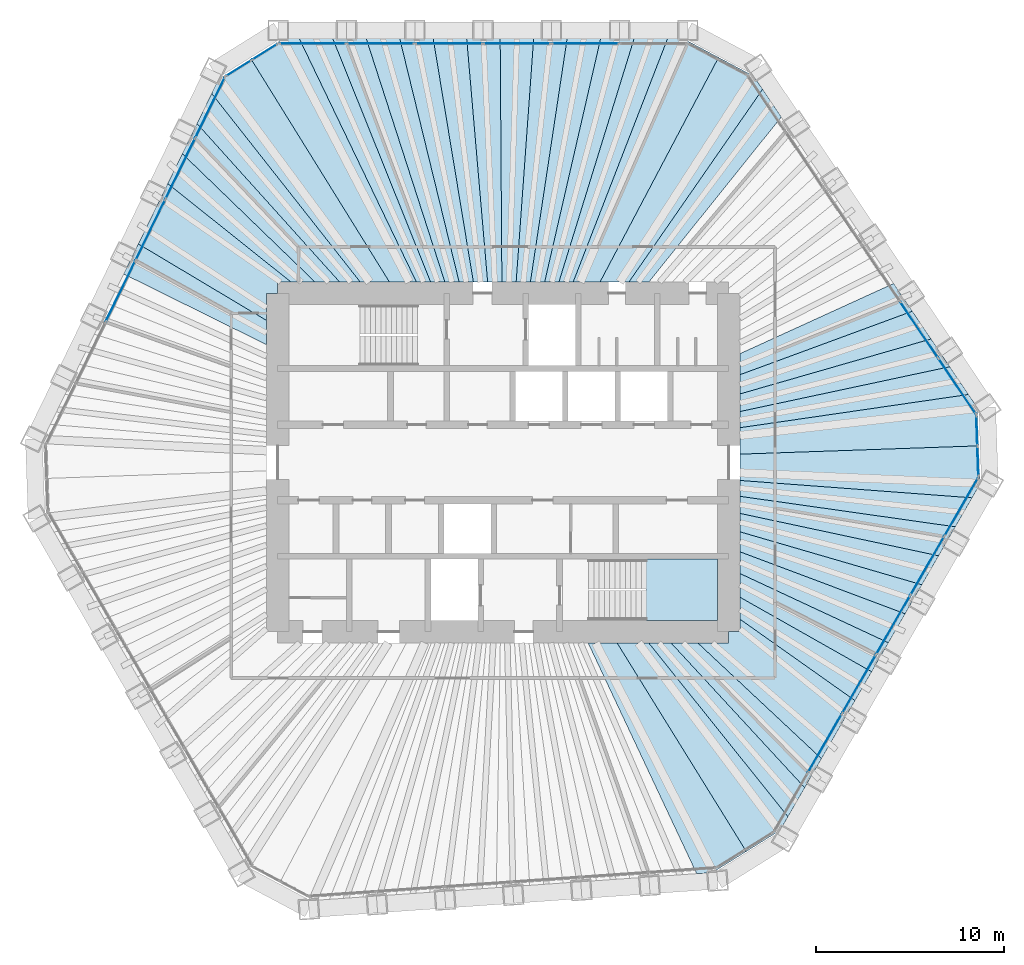
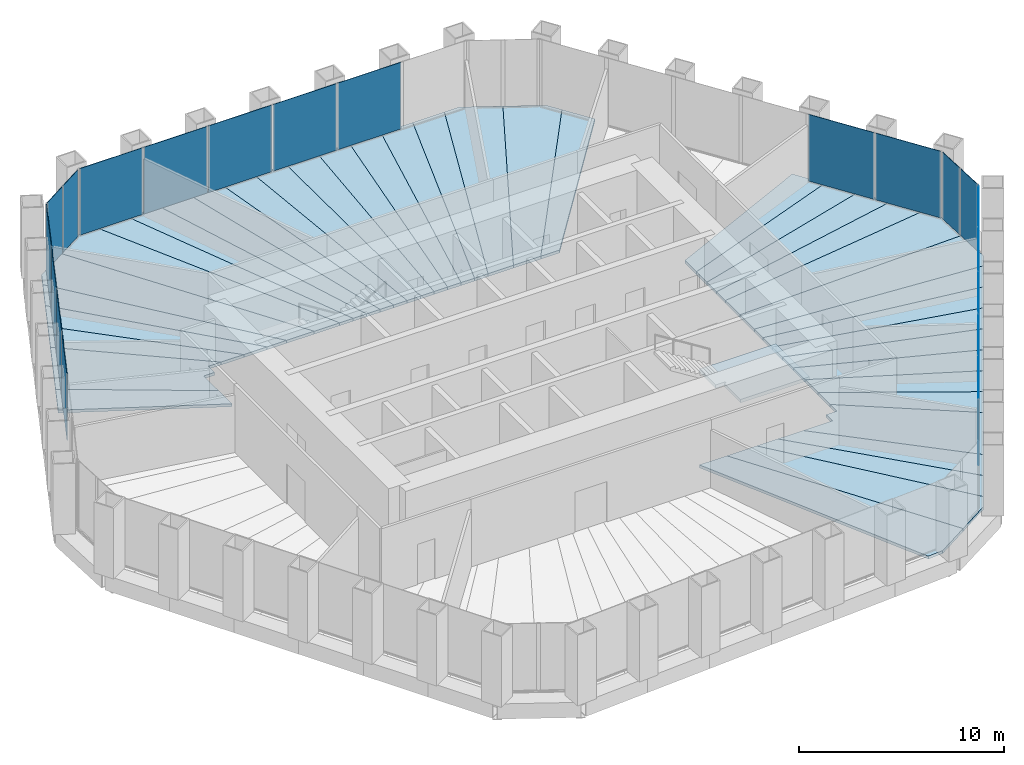
# One storey, part 9 of 13: 40 slabs, 20 plates, 7 elements without a shape of their own.
"""IFC4 building model written with IfcOpenShell, lengths in metres."""

from ifc_helpers import new_model, si_unit, direction, frame, origin, origin_2d, place, context, subcontext, project, spatial, polyline, rectangle, outline, extrude, material, layer, layer_set, type_object, element, aggregate, save


model = new_model("IFC4")

# Units and contexts
model_context = context("Model", 3, precision=1e-05, world=origin(), true_north=direction((0.0, 1.0)))
body_context = subcontext(model_context, "Body", "Model", "MODEL_VIEW")
ifc_project = project(units=[si_unit("LENGTHUNIT", "METRE"), si_unit("AREAUNIT", "SQUARE_METRE"), si_unit("VOLUMEUNIT", "CUBIC_METRE"), si_unit("PLANEANGLEUNIT", "RADIAN"), si_unit("MASSUNIT", "GRAM", prefix="KILO")], contexts=[model_context])

# Site, building, storey
site_placement = place(None, origin())
site = spatial("IfcSite", under=ifc_project, at=site_placement, CompositionType="ELEMENT")
building_placement = place(site_placement, origin())
building = spatial("IfcBuilding", under=site, at=building_placement, Name="Qingtian Harvest Tower", CompositionType="ELEMENT")
storey_placement = place(building_placement, frame((0.0, 0.0, 188.800048828125)))
storey = spatial("IfcBuildingStorey", under=building, at=storey_placement, Name="L40", CompositionType="ELEMENT", Elevation=188.800048828125)

# Slabs
ifc_material_1 = material(Name="Concrete fc' 35 MPa", Category="concrete")
ifc_layer_1 = layer(ifc_material_1, 0.169921875)
ifc_layer_set_1 = layer_set([ifc_layer_1], Name="Composite floor slab FS17 170")
slab_type_1 = type_object("IfcSlabType", Name="Composite floor slab FS17 170", PredefinedType="FLOOR", material=ifc_layer_set_1)
slab_1_placement = place(storey_placement, frame((0.0, 0.0, -0.170166015625)))
element("IfcSlab", 1, at=slab_1_placement, inside=storey, type_object=slab_type_1, Name="Floor slab L40 panel D26", PredefinedType="FLOOR", context=body_context, shape_type="SweptSolid", body=[
    extrude(outline(polyline([(4.5185546875, -9.60009765625), (6.059326171875, -9.60009765625), (12.94140625, -20.70703125), (11.142578125, -21.830810546875), (10.30029296875, -21.889892578125), (4.5185546875, -9.60009765625)])), origin(), (0.0, 0.0, 1.0), 0.170166015625),
])
slab_2_placement = place(storey_placement, frame((0.0, 0.0, -0.170166015625)))
element("IfcSlab", 2, at=slab_2_placement, inside=storey, type_object=slab_type_1, Name="Floor slab L40 panel D27", PredefinedType="FLOOR", context=body_context, shape_type="SweptSolid", body=[
    extrude(outline(polyline([(6.059326171875, -9.60009765625), (7.740966796875, -9.60009765625), (15.159423828125, -18.853271484375), (14.73681640625, -19.5849609375), (12.94140625, -20.70703125), (6.059326171875, -9.60009765625)])), origin(), (0.0, 0.0, 1.0), 0.170166015625),
])
slab_3_placement = place(storey_placement, frame((0.0, 0.0, -0.170166015625)))
element("IfcSlab", 3, at=slab_3_placement, inside=storey, type_object=slab_type_1, Name="Floor slab L40 panel D28", PredefinedType="FLOOR", context=body_context, shape_type="SweptSolid", body=[
    extrude(outline(polyline([(8.929443359375, -9.60009765625), (16.05029296875, -17.31005859375), (15.159423828125, -18.853271484375), (7.740966796875, -9.60009765625), (8.929443359375, -9.60009765625)])), origin(), (0.0, 0.0, 1.0), 0.170166015625),
])
slab_4_placement = place(storey_placement, frame((0.0, 0.0, -0.170166015625)))
element("IfcSlab", 4, at=slab_4_placement, inside=storey, type_object=slab_type_1, Name="Floor slab L40 panel D29", PredefinedType="FLOOR", context=body_context, shape_type="SweptSolid", body=[
    extrude(outline(polyline([(10.35205078125, -9.60009765625), (16.94140625, -15.766845703125), (16.05029296875, -17.31005859375), (8.929443359375, -9.60009765625), (10.35205078125, -9.60009765625)])), origin(), (0.0, 0.0, 1.0), 0.170166015625),
])
slab_5_placement = place(storey_placement, frame((0.0, 0.0, -0.170166015625)))
element("IfcSlab", 5, at=slab_5_placement, inside=storey, type_object=slab_type_1, Name="Floor slab L40 panel D31", PredefinedType="FLOOR", context=body_context, shape_type="SweptSolid", body=[
    extrude(outline(polyline([(12.60009765625, -8.33984375), (18.726806640625, -12.674072265625), (16.94140625, -15.766845703125), (10.35205078125, -9.60009765625), (12.0, -9.60009765625), (12.0, -9.0), (12.60009765625, -9.0), (12.60009765625, -8.33984375)])), origin(), (0.0, 0.0, 1.0), 0.170166015625),
])
slab_6_placement = place(storey_placement, frame((0.0, 0.0, -0.170166015625)))
element("IfcSlab", 6, at=slab_6_placement, inside=storey, type_object=slab_type_1, Name="Floor slab L40 panel D32", PredefinedType="FLOOR", context=body_context, shape_type="SweptSolid", body=[
    extrude(outline(polyline([(12.60009765625, -7.171142578125), (19.61279296875, -11.1396484375), (18.726806640625, -12.674072265625), (12.60009765625, -8.33984375), (12.60009765625, -7.171142578125)])), origin(), (0.0, 0.0, 1.0), 0.170166015625),
])
slab_7_placement = place(storey_placement, frame((0.0, 0.0, -0.170166015625)))
element("IfcSlab", 7, at=slab_7_placement, inside=storey, type_object=slab_type_1, Name="Floor slab L40 panel D33", PredefinedType="FLOOR", context=body_context, shape_type="SweptSolid", body=[
    extrude(outline(polyline([(12.60009765625, -5.91015625), (20.503662109375, -9.5966796875), (19.61279296875, -11.1396484375), (12.60009765625, -7.171142578125), (12.60009765625, -5.91015625)])), origin(), (0.0, 0.0, 1.0), 0.170166015625),
])
slab_8_placement = place(storey_placement, frame((0.0, 0.0, -0.170166015625)))
element("IfcSlab", 8, at=slab_8_placement, inside=storey, type_object=slab_type_1, Name="Floor slab L40 panel D34", PredefinedType="FLOOR", context=body_context, shape_type="SweptSolid", body=[
    extrude(outline(polyline([(12.60009765625, -4.75439453125), (21.39453125, -8.0537109375), (20.503662109375, -9.5966796875), (12.60009765625, -5.91015625), (12.60009765625, -4.75439453125)])), origin(), (0.0, 0.0, 1.0), 0.170166015625),
])
slab_9_placement = place(storey_placement, frame((0.0, 0.0, -0.170166015625)))
element("IfcSlab", 9, at=slab_9_placement, inside=storey, type_object=slab_type_1, Name="Floor slab L40 panel D35", PredefinedType="FLOOR", context=body_context, shape_type="SweptSolid", body=[
    extrude(outline(polyline([(12.60009765625, -3.691162109375), (22.285400390625, -6.5107421875), (21.39453125, -8.0537109375), (12.60009765625, -4.75439453125), (12.60009765625, -3.691162109375)])), origin(), (0.0, 0.0, 1.0), 0.170166015625),
])
slab_10_placement = place(storey_placement, frame((0.0, 0.0, -0.170166015625)))
element("IfcSlab", 10, at=slab_10_placement, inside=storey, type_object=slab_type_1, Name="Floor slab L40 panel D36", PredefinedType="FLOOR", context=body_context, shape_type="SweptSolid", body=[
    extrude(outline(polyline([(12.60009765625, -2.709716796875), (23.17626953125, -4.9677734375), (22.285400390625, -6.5107421875), (12.60009765625, -3.691162109375), (12.60009765625, -2.709716796875)])), origin(), (0.0, 0.0, 1.0), 0.170166015625),
])
slab_11_placement = place(storey_placement, frame((0.0, 0.0, -0.170166015625)))
element("IfcSlab", 11, at=slab_11_placement, inside=storey, type_object=slab_type_1, Name="Floor slab L40 panel D37", PredefinedType="FLOOR", context=body_context, shape_type="SweptSolid", body=[
    extrude(outline(polyline([(12.60009765625, -1.801025390625), (24.06689453125, -3.4248046875), (23.17626953125, -4.9677734375), (12.60009765625, -2.709716796875), (12.60009765625, -1.801025390625)])), origin(), (0.0, 0.0, 1.0), 0.170166015625),
])
slab_12_placement = place(storey_placement, frame((0.0, 0.0, -0.170166015625)))
element("IfcSlab", 12, at=slab_12_placement, inside=storey, type_object=slab_type_1, Name="Floor slab L40 panel D38", PredefinedType="FLOOR", context=body_context, shape_type="SweptSolid", body=[
    extrude(outline(polyline([(12.60009765625, -0.95703125), (24.957763671875, -1.8818359375), (24.06689453125, -3.4248046875), (12.60009765625, -1.801025390625), (12.60009765625, -0.95703125)])), origin(), (0.0, 0.0, 1.0), 0.170166015625),
])
slab_13_placement = place(storey_placement, frame((0.0, 0.0, -0.170166015625)))
element("IfcSlab", 13, at=slab_13_placement, inside=storey, type_object=slab_type_1, Name="Floor slab L40 panel D39", PredefinedType="FLOOR", context=body_context, shape_type="SweptSolid", body=[
    extrude(outline(polyline([(12.60009765625, -0.95703125), (12.60009765625, 0.442626953125), (25.30908203125, 0.884033203125), (25.380126953125, -1.150146484375), (24.957763671875, -1.8818359375), (12.60009765625, -0.95703125)])), origin(), (0.0, 0.0, 1.0), 0.170166015625),
])
slab_14_placement = place(storey_placement, frame((0.0, 0.0, -0.170166015625)))
element("IfcSlab", 14, at=slab_14_placement, inside=storey, type_object=slab_type_1, Name="Floor slab L40 panel D40", PredefinedType="FLOOR", context=body_context, shape_type="SweptSolid", body=[
    extrude(outline(polyline([(12.60009765625, 0.442626953125), (12.60009765625, 1.848876953125), (24.765625, 3.6181640625), (25.238037109375, 2.91796875), (25.30908203125, 0.884033203125), (12.60009765625, 0.442626953125)])), origin(), (0.0, 0.0, 1.0), 0.170166015625),
])
slab_15_placement = place(storey_placement, frame((0.0, 0.0, -0.170166015625)))
element("IfcSlab", 15, at=slab_15_placement, inside=storey, type_object=slab_type_1, Name="Floor slab L40 panel D41", PredefinedType="FLOOR", context=body_context, shape_type="SweptSolid", body=[
    extrude(outline(polyline([(12.60009765625, 2.710205078125), (23.76953125, 5.09521484375), (24.765625, 3.6181640625), (12.60009765625, 1.848876953125), (12.60009765625, 2.710205078125)])), origin(), (0.0, 0.0, 1.0), 0.170166015625),
])
slab_16_placement = place(storey_placement, frame((0.0, 0.0, -0.170166015625)))
element("IfcSlab", 16, at=slab_16_placement, inside=storey, type_object=slab_type_1, Name="Floor slab L40 panel D42", PredefinedType="FLOOR", context=body_context, shape_type="SweptSolid", body=[
    extrude(outline(polyline([(12.60009765625, 3.646728515625), (22.773193359375, 6.572265625), (23.76953125, 5.09521484375), (12.60009765625, 2.710205078125), (12.60009765625, 3.646728515625)])), origin(), (0.0, 0.0, 1.0), 0.170166015625),
])
slab_17_placement = place(storey_placement, frame((0.0, 0.0, -0.170166015625)))
element("IfcSlab", 17, at=slab_17_placement, inside=storey, type_object=slab_type_1, Name="Floor slab L40 panel D43", PredefinedType="FLOOR", context=body_context, shape_type="SweptSolid", body=[
    extrude(outline(polyline([(12.60009765625, 4.669189453125), (21.77685546875, 8.049560546875), (22.773193359375, 6.572265625), (12.60009765625, 3.646728515625), (12.60009765625, 4.669189453125)])), origin(), (0.0, 0.0, 1.0), 0.170166015625),
])
slab_18_placement = place(storey_placement, frame((0.0, 0.0, -0.170166015625)))
element("IfcSlab", 18, at=slab_18_placement, inside=storey, type_object=slab_type_1, Name="Floor slab L40 panel D44", PredefinedType="FLOOR", context=body_context, shape_type="SweptSolid", body=[
    extrude(outline(polyline([(12.60009765625, 5.7900390625), (20.780517578125, 9.526611328125), (21.77685546875, 8.049560546875), (12.60009765625, 4.669189453125), (12.60009765625, 5.7900390625)])), origin(), (0.0, 0.0, 1.0), 0.170166015625),
])
slab_19_placement = place(storey_placement, frame((0.0, 0.0, -0.170166015625)))
element("IfcSlab", 19, at=slab_19_placement, inside=storey, type_object=slab_type_1, Name="Floor slab L40 panel D51", PredefinedType="FLOOR", context=body_context, shape_type="SweptSolid", body=[
    extrude(outline(polyline([(6.6904296875, 9.60009765625), (13.807373046875, 19.86474609375), (14.8037109375, 18.3876953125), (7.751220703125, 9.60009765625), (6.6904296875, 9.60009765625)])), origin(), (0.0, 0.0, 1.0), 0.170166015625),
])
slab_20_placement = place(storey_placement, frame((0.0, 0.0, -0.170166015625)))
element("IfcSlab", 20, at=slab_20_placement, inside=storey, type_object=slab_type_1, Name="Floor slab L40 panel D52", PredefinedType="FLOOR", context=body_context, shape_type="SweptSolid", body=[
    extrude(outline(polyline([(6.6904296875, 9.60009765625), (5.15185546875, 9.60009765625), (11.465087890625, 21.559326171875), (13.334716796875, 20.5654296875), (13.807373046875, 19.86474609375), (6.6904296875, 9.60009765625)])), origin(), (0.0, 0.0, 1.0), 0.170166015625),
])
slab_21_placement = place(storey_placement, frame((0.0, 0.0, -0.170166015625)))
element("IfcSlab", 21, at=slab_21_placement, inside=storey, type_object=slab_type_1, Name="Floor slab L40 panel D53", PredefinedType="FLOOR", context=body_context, shape_type="SweptSolid", body=[
    extrude(outline(polyline([(3.7236328125, 9.60009765625), (8.748291015625, 22.554931640625), (9.5927734375, 22.554931640625), (11.465087890625, 21.559326171875), (5.15185546875, 9.60009765625), (3.7236328125, 9.60009765625)])), origin(), (0.0, 0.0, 1.0), 0.170166015625),
])
slab_22_placement = place(storey_placement, frame((0.0, 0.0, -0.170166015625)))
element("IfcSlab", 22, at=slab_22_placement, inside=storey, type_object=slab_type_1, Name="Floor slab L40 panel D54", PredefinedType="FLOOR", context=body_context, shape_type="SweptSolid", body=[
    extrude(outline(polyline([(2.96533203125, 9.60009765625), (6.966796875, 22.554931640625), (8.748291015625, 22.554931640625), (3.7236328125, 9.60009765625), (2.96533203125, 9.60009765625)])), origin(), (0.0, 0.0, 1.0), 0.170166015625),
])
slab_23_placement = place(storey_placement, frame((0.0, 0.0, -0.170166015625)))
element("IfcSlab", 23, at=slab_23_placement, inside=storey, type_object=slab_type_1, Name="Floor slab L40 panel D55", PredefinedType="FLOOR", context=body_context, shape_type="SweptSolid", body=[
    extrude(outline(polyline([(2.206787109375, 9.60009765625), (5.18505859375, 22.554931640625), (6.966796875, 22.554931640625), (2.96533203125, 9.60009765625), (2.206787109375, 9.60009765625)])), origin(), (0.0, 0.0, 1.0), 0.170166015625),
])
slab_24_placement = place(storey_placement, frame((0.0, 0.0, -0.170166015625)))
element("IfcSlab", 24, at=slab_24_placement, inside=storey, type_object=slab_type_1, Name="Floor slab L40 panel D56", PredefinedType="FLOOR", context=body_context, shape_type="SweptSolid", body=[
    extrude(outline(polyline([(1.448486328125, 9.60009765625), (3.403564453125, 22.554931640625), (5.18505859375, 22.554931640625), (2.206787109375, 9.60009765625), (1.448486328125, 9.60009765625)])), origin(), (0.0, 0.0, 1.0), 0.170166015625),
])
slab_25_placement = place(storey_placement, frame((0.0, 0.0, -0.170166015625)))
element("IfcSlab", 25, at=slab_25_placement, inside=storey, type_object=slab_type_1, Name="Floor slab L40 panel D57", PredefinedType="FLOOR", context=body_context, shape_type="SweptSolid", body=[
    extrude(outline(polyline([(0.690185546875, 9.60009765625), (1.621826171875, 22.554931640625), (3.403564453125, 22.554931640625), (1.448486328125, 9.60009765625), (0.690185546875, 9.60009765625)])), origin(), (0.0, 0.0, 1.0), 0.170166015625),
])
slab_26_placement = place(storey_placement, frame((0.0, 0.0, -0.170166015625)))
element("IfcSlab", 26, at=slab_26_placement, inside=storey, type_object=slab_type_1, Name="Floor slab L40 panel D58", PredefinedType="FLOOR", context=body_context, shape_type="SweptSolid", body=[
    extrude(outline(polyline([(-0.068115234375, 9.60009765625), (-0.159912109375, 22.554931640625), (1.621826171875, 22.554931640625), (0.690185546875, 9.60009765625), (-0.068115234375, 9.60009765625)])), origin(), (0.0, 0.0, 1.0), 0.170166015625),
])
slab_27_placement = place(storey_placement, frame((0.0, 0.0, -0.170166015625)))
element("IfcSlab", 27, at=slab_27_placement, inside=storey, type_object=slab_type_1, Name="Floor slab L40 panel D59", PredefinedType="FLOOR", context=body_context, shape_type="SweptSolid", body=[
    extrude(outline(polyline([(-0.826416015625, 9.60009765625), (-1.94140625, 22.554931640625), (-0.159912109375, 22.554931640625), (-0.068115234375, 9.60009765625), (-0.826416015625, 9.60009765625)])), origin(), (0.0, 0.0, 1.0), 0.170166015625),
])
slab_28_placement = place(storey_placement, frame((0.0, 0.0, -0.170166015625)))
element("IfcSlab", 28, at=slab_28_placement, inside=storey, type_object=slab_type_1, Name="Floor slab L40 panel D60", PredefinedType="FLOOR", context=body_context, shape_type="SweptSolid", body=[
    extrude(outline(polyline([(-1.584716796875, 9.60009765625), (-3.72314453125, 22.554931640625), (-1.94140625, 22.554931640625), (-0.826416015625, 9.60009765625), (-1.584716796875, 9.60009765625)])), origin(), (0.0, 0.0, 1.0), 0.170166015625),
])
slab_29_placement = place(storey_placement, frame((0.0, 0.0, -0.170166015625)))
element("IfcSlab", 29, at=slab_29_placement, inside=storey, type_object=slab_type_1, Name="Floor slab L40 panel D61", PredefinedType="FLOOR", context=body_context, shape_type="SweptSolid", body=[
    extrude(outline(polyline([(-2.343017578125, 9.60009765625), (-5.504638671875, 22.554931640625), (-3.72314453125, 22.554931640625), (-1.584716796875, 9.60009765625), (-2.343017578125, 9.60009765625)])), origin(), (0.0, 0.0, 1.0), 0.170166015625),
])
slab_30_placement = place(storey_placement, frame((0.0, 0.0, -0.170166015625)))
element("IfcSlab", 30, at=slab_30_placement, inside=storey, type_object=slab_type_1, Name="Floor slab L40 panel D62", PredefinedType="FLOOR", context=body_context, shape_type="SweptSolid", body=[
    extrude(outline(polyline([(-3.101318359375, 9.60009765625), (-7.286376953125, 22.554931640625), (-5.504638671875, 22.554931640625), (-2.343017578125, 9.60009765625), (-3.101318359375, 9.60009765625)])), origin(), (0.0, 0.0, 1.0), 0.170166015625),
])
slab_31_placement = place(storey_placement, frame((0.0, 0.0, -0.170166015625)))
element("IfcSlab", 31, at=slab_31_placement, inside=storey, type_object=slab_type_1, Name="Floor slab L40 panel D63", PredefinedType="FLOOR", context=body_context, shape_type="SweptSolid", body=[
    extrude(outline(polyline([(-3.859619140625, 9.60009765625), (-9.06787109375, 22.554931640625), (-7.286376953125, 22.554931640625), (-3.101318359375, 9.60009765625), (-3.859619140625, 9.60009765625)])), origin(), (0.0, 0.0, 1.0), 0.170166015625),
])
slab_32_placement = place(storey_placement, frame((0.0, 0.0, -0.170166015625)))
element("IfcSlab", 32, at=slab_32_placement, inside=storey, type_object=slab_type_1, Name="Floor slab L40 panel D64", PredefinedType="FLOOR", context=body_context, shape_type="SweptSolid", body=[
    extrude(outline(polyline([(-4.617919921875, 9.60009765625), (-10.849609375, 22.554931640625), (-9.06787109375, 22.554931640625), (-3.859619140625, 9.60009765625), (-4.617919921875, 9.60009765625)])), origin(), (0.0, 0.0, 1.0), 0.170166015625),
])
slab_33_placement = place(storey_placement, frame((0.0, 0.0, -0.170166015625)))
element("IfcSlab", 33, at=slab_33_placement, inside=storey, type_object=slab_type_1, Name="Floor slab L40 panel D65", PredefinedType="FLOOR", context=body_context, shape_type="SweptSolid", body=[
    extrude(outline(polyline([(-4.617919921875, 9.60009765625), (-6.050537109375, 9.60009765625), (-13.42138671875, 21.4755859375), (-11.69384765625, 22.554931640625), (-10.849609375, 22.554931640625), (-4.617919921875, 9.60009765625)])), origin(), (0.0, 0.0, 1.0), 0.170166015625),
])
slab_34_placement = place(storey_placement, frame((0.0, 0.0, -0.170166015625)))
element("IfcSlab", 34, at=slab_34_placement, inside=storey, type_object=slab_type_1, Name="Floor slab L40 panel D66", PredefinedType="FLOOR", context=body_context, shape_type="SweptSolid", body=[
    extrude(outline(polyline([(-6.050537109375, 9.60009765625), (-7.60498046875, 9.60009765625), (-15.516357421875, 19.638427734375), (-15.14599609375, 20.39794921875), (-13.42138671875, 21.4755859375), (-6.050537109375, 9.60009765625)])), origin(), (0.0, 0.0, 1.0), 0.170166015625),
])
slab_35_placement = place(storey_placement, frame((0.0, 0.0, -0.170166015625)))
element("IfcSlab", 35, at=slab_35_placement, inside=storey, type_object=slab_type_1, Name="Floor slab L40 panel D67", PredefinedType="FLOOR", context=body_context, shape_type="SweptSolid", body=[
    extrude(outline(polyline([(-8.699951171875, 9.60009765625), (-16.297607421875, 18.036865234375), (-15.516357421875, 19.638427734375), (-7.60498046875, 9.60009765625), (-8.699951171875, 9.60009765625)])), origin(), (0.0, 0.0, 1.0), 0.170166015625),
])
slab_36_placement = place(storey_placement, frame((0.0, 0.0, -0.170166015625)))
element("IfcSlab", 36, at=slab_36_placement, inside=storey, type_object=slab_type_1, Name="Floor slab L40 panel D68", PredefinedType="FLOOR", context=body_context, shape_type="SweptSolid", body=[
    extrude(outline(polyline([(-10.009765625, 9.60009765625), (-17.07861328125, 16.435302734375), (-16.297607421875, 18.036865234375), (-8.699951171875, 9.60009765625), (-10.009765625, 9.60009765625)])), origin(), (0.0, 0.0, 1.0), 0.170166015625),
])
slab_37_placement = place(storey_placement, frame((0.0, 0.0, -0.170166015625)))
element("IfcSlab", 37, at=slab_37_placement, inside=storey, type_object=slab_type_1, Name="Floor slab L40 panel D69", PredefinedType="FLOOR", context=body_context, shape_type="SweptSolid", body=[
    extrude(outline(polyline([(-11.28759765625, 9.60009765625), (-17.855224609375, 14.84326171875), (-17.07861328125, 16.435302734375), (-10.009765625, 9.60009765625), (-11.28759765625, 9.60009765625)])), origin(), (0.0, 0.0, 1.0), 0.170166015625),
])
slab_38_placement = place(storey_placement, frame((0.0, 0.0, -0.170166015625)))
element("IfcSlab", 38, at=slab_38_placement, inside=storey, type_object=slab_type_1, Name="Floor slab L40 panel D70", PredefinedType="FLOOR", context=body_context, shape_type="SweptSolid", body=[
    extrude(outline(polyline([(-12.0, 9.0), (-12.60009765625, 9.0), (-12.60009765625, 7.560302734375), (-19.4208984375, 11.633056640625), (-17.855224609375, 14.84326171875), (-11.28759765625, 9.60009765625), (-12.0, 9.60009765625), (-12.0, 9.0)])), origin(), (0.0, 0.0, 1.0), 0.170166015625),
])
slab_39_placement = place(storey_placement, frame((0.0, 0.0, -0.170166015625)))
element("IfcSlab", 39, at=slab_39_placement, inside=storey, type_object=slab_type_1, Name="Floor slab L40 panel D72", PredefinedType="FLOOR", context=body_context, shape_type="SweptSolid", body=[
    extrude(outline(polyline([(-12.60009765625, 6.268310546875), (-20.201904296875, 10.031494140625), (-19.4208984375, 11.633056640625), (-12.60009765625, 7.560302734375), (-12.60009765625, 6.268310546875)])), origin(), (0.0, 0.0, 1.0), 0.170166015625),
])

# Curtain wall, plates
ifc_material_2 = material(Name="Bronze-anodised aluminium curtain wall", Category="aluminium")
curtain_wall_type = type_object("IfcCurtainWallType", Name="Curtain wall CW4 office", PredefinedType="USERDEFINED", material=ifc_material_2)
curtain_wall_1_placement = place(storey_placement, origin())
curtain_wall_1 = element("IfcCurtainWall", 40, at=curtain_wall_1_placement, inside=storey, type_object=curtain_wall_type, Name="Curtain wall CW4 L40 N0-5", ObjectType="RECESSED CURTAIN WALL", PredefinedType="USERDEFINED")
ifc_material_3 = material(Name="Bronze-tinted laminated insulating glass", Category="glass")
ifc_layer_2 = layer(ifc_material_3, 0.030029296875)
ifc_layer_set_2 = layer_set([ifc_layer_2], Name="Glazed panel CWP tinted IGU")
plate_type = type_object("IfcPlateType", Name="Glazed panel CWP tinted IGU", PredefinedType="CURTAIN_PANEL", material=ifc_layer_set_2)
plate_1_placement = place(storey_placement, frame((-10.138916015625, 22.300048828125, 0.06494140625), z_axis=(0.0, 0.0, 1.0), x_axis=(1.0, 0.0, 0.0)))
plate_1 = element("IfcPlate", 41, at=plate_1_placement, type_object=plate_type, Name="CW4 panel 1.1", PredefinedType="CURTAIN_PANEL", context=body_context, shape_type="SweptSolid", body=[
    extrude(rectangle(XDim=3.5361328125, YDim=0.030029296875, at=origin_2d()), origin(), (0.0, 0.0, 1.0), 3.965087890625),
])
plate_2_placement = place(storey_placement, frame((-6.521728515625, 22.300048828125, 0.06494140625), z_axis=(0.0, 0.0, 1.0), x_axis=(1.0, 0.0, 0.0)))
plate_2 = element("IfcPlate", 42, at=plate_2_placement, type_object=plate_type, Name="CW4 panel 2.1", PredefinedType="CURTAIN_PANEL", context=body_context, shape_type="SweptSolid", body=[
    extrude(rectangle(XDim=3.568603515625, YDim=0.030029296875, at=origin_2d()), origin(), (0.0, 0.0, 1.0), 3.965087890625),
])
plate_3_placement = place(storey_placement, frame((-2.88818359375, 22.300048828125, 0.06494140625), z_axis=(0.0, 0.0, 1.0), x_axis=(1.0, 0.0, 0.0)))
plate_3 = element("IfcPlate", 43, at=plate_3_placement, type_object=plate_type, Name="CW4 panel 3.1", PredefinedType="CURTAIN_PANEL", context=body_context, shape_type="SweptSolid", body=[
    extrude(rectangle(XDim=3.568603515625, YDim=0.030029296875, at=origin_2d()), origin(), (0.0, 0.0, 1.0), 3.965087890625),
])
plate_4_placement = place(storey_placement, frame((0.745361328125, 22.300048828125, 0.06494140625), z_axis=(0.0, 0.0, 1.0), x_axis=(1.0, 0.0, 0.0)))
plate_4 = element("IfcPlate", 44, at=plate_4_placement, type_object=plate_type, Name="CW4 panel 4.1", PredefinedType="CURTAIN_PANEL", context=body_context, shape_type="SweptSolid", body=[
    extrude(rectangle(XDim=3.568603515625, YDim=0.030029296875, at=origin_2d()), origin(), (0.0, 0.0, 1.0), 3.965087890625),
])
plate_5_placement = place(storey_placement, frame((4.37890625, 22.300048828125, 0.06494140625), z_axis=(0.0, 0.0, 1.0), x_axis=(1.0, 0.0, 0.0)))
plate_5 = element("IfcPlate", 45, at=plate_5_placement, type_object=plate_type, Name="CW4 panel 5.1", PredefinedType="CURTAIN_PANEL", context=body_context, shape_type="SweptSolid", body=[
    extrude(rectangle(XDim=3.568603515625, YDim=0.030029296875, at=origin_2d()), origin(), (0.0, 0.0, 1.0), 3.965087890625),
])
aggregate(curtain_wall_1, [plate_1, plate_2, plate_3, plate_4, plate_5])

curtain_wall_2_placement = place(storey_placement, origin())
curtain_wall_2 = element("IfcCurtainWall", 46, at=curtain_wall_2_placement, inside=storey, type_object=curtain_wall_type, Name="Curtain wall CW4 L40 NE0-5", ObjectType="RECESSED CURTAIN WALL", PredefinedType="USERDEFINED")
plate_6_placement = place(storey_placement, frame((22.134521484375, 7.063232421875, 0.06494140625), z_axis=(0.0, 0.0, 1.0), x_axis=(0.559192903471, -0.829037572555, 0.0)))
plate_6 = element("IfcPlate", 47, at=plate_6_placement, type_object=plate_type, Name="CW4 panel 5.1", PredefinedType="CURTAIN_PANEL", context=body_context, shape_type="SweptSolid", body=[
    extrude(rectangle(XDim=3.568603515625, YDim=0.030029296875, at=origin_2d()), origin(), (0.0, 0.0, 1.0), 3.965087890625),
])
plate_7_placement = place(storey_placement, frame((24.1572265625, 4.064453125, 0.06494140625), z_axis=(0.0, 0.0, 1.0), x_axis=(0.559192903471, -0.829037572555, 0.0)))
plate_7 = element("IfcPlate", 48, at=plate_7_placement, type_object=plate_type, Name="CW4 panel 6.1", PredefinedType="CURTAIN_PANEL", context=body_context, shape_type="SweptSolid", body=[
    extrude(rectangle(XDim=3.5361328125, YDim=0.030029296875, at=origin_2d()), origin(), (0.0, 0.0, 1.0), 3.965087890625),
])
aggregate(curtain_wall_2, [plate_6, plate_7])

curtain_wall_3_placement = place(storey_placement, origin())
curtain_wall_3 = element("IfcCurtainWall", 49, at=curtain_wall_3_placement, inside=storey, type_object=curtain_wall_type, Name="Curtain wall CW4 L40 NEC", ObjectType="RECESSED CURTAIN WALL", PredefinedType="USERDEFINED")
plate_8_placement = place(storey_placement, frame((25.2119140625, 1.69677734375, 0.06494140625), z_axis=(0.0, 0.0, 1.0), x_axis=(0.034899496703, -0.999390827019, 0.0)))
plate_8 = element("IfcPlate", 50, at=plate_8_placement, type_object=plate_type, Name="CW4 panel 1.1", PredefinedType="CURTAIN_PANEL", context=body_context, shape_type="SweptSolid", body=[
    extrude(rectangle(XDim=1.56689453125, YDim=0.030029296875, at=origin_2d()), origin(), (0.0, 0.0, 1.0), 3.965087890625),
])
plate_9_placement = place(storey_placement, frame((25.268798828125, 0.06591796875, 0.06494140625), z_axis=(0.0, 0.0, 1.0), x_axis=(0.034899496703, -0.999390827019, 0.0)))
plate_9 = element("IfcPlate", 51, at=plate_9_placement, type_object=plate_type, Name="CW4 panel 2.1", PredefinedType="CURTAIN_PANEL", context=body_context, shape_type="SweptSolid", body=[
    extrude(rectangle(XDim=1.56689453125, YDim=0.030029296875, at=origin_2d()), origin(), (0.0, 0.0, 1.0), 3.965087890625),
])
aggregate(curtain_wall_3, [plate_8, plate_9])

curtain_wall_4_placement = place(storey_placement, origin())
curtain_wall_4 = element("IfcCurtainWall", 52, at=curtain_wall_4_placement, inside=storey, type_object=curtain_wall_type, Name="Curtain wall CW4 L40 SE0-5", ObjectType="RECESSED CURTAIN WALL", PredefinedType="USERDEFINED")
plate_10_placement = place(storey_placement, frame((24.3818359375, -2.369384765625, 0.06494140625), z_axis=(0.0, 0.0, 1.0), x_axis=(-0.5, -0.866025403784, 0.0)))
plate_10 = element("IfcPlate", 53, at=plate_10_placement, type_object=plate_type, Name="CW4 panel 1.1", PredefinedType="CURTAIN_PANEL", context=body_context, shape_type="SweptSolid", body=[
    extrude(rectangle(XDim=3.5361328125, YDim=0.030029296875, at=origin_2d()), origin(), (0.0, 0.0, 1.0), 3.965087890625),
])
plate_11_placement = place(storey_placement, frame((22.5732421875, -5.501953125, 0.06494140625), z_axis=(0.0, 0.0, 1.0), x_axis=(-0.5, -0.866025403784, 0.0)))
plate_11 = element("IfcPlate", 54, at=plate_11_placement, type_object=plate_type, Name="CW4 panel 2.1", PredefinedType="CURTAIN_PANEL", context=body_context, shape_type="SweptSolid", body=[
    extrude(rectangle(XDim=3.568603515625, YDim=0.030029296875, at=origin_2d()), origin(), (0.0, 0.0, 1.0), 3.965087890625),
])
plate_12_placement = place(storey_placement, frame((20.75634765625, -8.64892578125, 0.06494140625), z_axis=(0.0, 0.0, 1.0), x_axis=(-0.5, -0.866025403784, 0.0)))
plate_12 = element("IfcPlate", 55, at=plate_12_placement, type_object=plate_type, Name="CW4 panel 3.1", PredefinedType="CURTAIN_PANEL", context=body_context, shape_type="SweptSolid", body=[
    extrude(rectangle(XDim=3.568603515625, YDim=0.030029296875, at=origin_2d()), origin(), (0.0, 0.0, 1.0), 3.965087890625),
])
plate_13_placement = place(storey_placement, frame((18.939697265625, -11.795654296875, 0.06494140625), z_axis=(0.0, 0.0, 1.0), x_axis=(-0.5, -0.866025403784, 0.0)))
plate_13 = element("IfcPlate", 56, at=plate_13_placement, type_object=plate_type, Name="CW4 panel 4.1", PredefinedType="CURTAIN_PANEL", context=body_context, shape_type="SweptSolid", body=[
    extrude(rectangle(XDim=3.568603515625, YDim=0.030029296875, at=origin_2d()), origin(), (0.0, 0.0, 1.0), 3.965087890625),
])
plate_14_placement = place(storey_placement, frame((17.122802734375, -14.9423828125, 0.06494140625), z_axis=(0.0, 0.0, 1.0), x_axis=(-0.5, -0.866025403784, 0.0)))
plate_14 = element("IfcPlate", 57, at=plate_14_placement, type_object=plate_type, Name="CW4 panel 5.1", PredefinedType="CURTAIN_PANEL", context=body_context, shape_type="SweptSolid", body=[
    extrude(rectangle(XDim=3.568603515625, YDim=0.030029296875, at=origin_2d()), origin(), (0.0, 0.0, 1.0), 3.965087890625),
])
aggregate(curtain_wall_4, [plate_10, plate_11, plate_12, plate_13, plate_14])

curtain_wall_5_placement = place(storey_placement, origin())
curtain_wall_5 = element("IfcCurtainWall", 58, at=curtain_wall_5_placement, inside=storey, type_object=curtain_wall_type, Name="Curtain wall CW4 L40 NW0-5", ObjectType="RECESSED CURTAIN WALL", PredefinedType="USERDEFINED")
plate_15_placement = place(storey_placement, frame((-20.369873046875, 9.105712890625, 0.06494140625), z_axis=(0.0, 0.0, 1.0), x_axis=(0.438371146789, 0.898794046299, 0.0)))
plate_15 = element("IfcPlate", 59, at=plate_15_placement, type_object=plate_type, Name="CW4 panel 3.1", PredefinedType="CURTAIN_PANEL", context=body_context, shape_type="SweptSolid", body=[
    extrude(rectangle(XDim=3.568603515625, YDim=0.030029296875, at=origin_2d()), origin(), (0.0, 0.0, 1.0), 3.965087890625),
])
plate_16_placement = place(storey_placement, frame((-18.777099609375, 12.37158203125, 0.06494140625), z_axis=(0.0, 0.0, 1.0), x_axis=(0.438371146789, 0.898794046299, 0.0)))
plate_16 = element("IfcPlate", 60, at=plate_16_placement, type_object=plate_type, Name="CW4 panel 4.1", PredefinedType="CURTAIN_PANEL", context=body_context, shape_type="SweptSolid", body=[
    extrude(rectangle(XDim=3.568603515625, YDim=0.030029296875, at=origin_2d()), origin(), (0.0, 0.0, 1.0), 3.965087890625),
])
plate_17_placement = place(storey_placement, frame((-17.18408203125, 15.63720703125, 0.06494140625), z_axis=(0.0, 0.0, 1.0), x_axis=(0.438371146789, 0.898794046299, 0.0)))
plate_17 = element("IfcPlate", 61, at=plate_17_placement, type_object=plate_type, Name="CW4 panel 5.1", PredefinedType="CURTAIN_PANEL", context=body_context, shape_type="SweptSolid", body=[
    extrude(rectangle(XDim=3.568603515625, YDim=0.030029296875, at=origin_2d()), origin(), (0.0, 0.0, 1.0), 3.965087890625),
])
plate_18_placement = place(storey_placement, frame((-15.598388671875, 18.888427734375, 0.06494140625), z_axis=(0.0, 0.0, 1.0), x_axis=(0.438371146789, 0.898794046299, 0.0)))
plate_18 = element("IfcPlate", 62, at=plate_18_placement, type_object=plate_type, Name="CW4 panel 6.1", PredefinedType="CURTAIN_PANEL", context=body_context, shape_type="SweptSolid", body=[
    extrude(rectangle(XDim=3.5361328125, YDim=0.030029296875, at=origin_2d()), origin(), (0.0, 0.0, 1.0), 3.965087890625),
])
aggregate(curtain_wall_5, [plate_15, plate_16, plate_17, plate_18])

curtain_wall_6_placement = place(storey_placement, origin())
curtain_wall_6 = element("IfcCurtainWall", 63, at=curtain_wall_6_placement, inside=storey, type_object=curtain_wall_type, Name="Curtain wall CW4 L40 NWC", ObjectType="RECESSED CURTAIN WALL", PredefinedType="USERDEFINED")
plate_19_placement = place(storey_placement, frame((-14.075439453125, 20.985595703125, 0.06494140625), z_axis=(0.0, 0.0, 1.0), x_axis=(0.848048096156, 0.529919264233, 0.0)))
plate_19 = element("IfcPlate", 64, at=plate_19_placement, type_object=plate_type, Name="CW4 panel 1.1", PredefinedType="CURTAIN_PANEL", context=body_context, shape_type="SweptSolid", body=[
    extrude(rectangle(XDim=1.56689453125, YDim=0.030029296875, at=origin_2d()), origin(), (0.0, 0.0, 1.0), 3.965087890625),
])
plate_20_placement = place(storey_placement, frame((-12.69140625, 21.850341796875, 0.06494140625), z_axis=(0.0, 0.0, 1.0), x_axis=(0.848048096156, 0.529919264233, 0.0)))
plate_20 = element("IfcPlate", 65, at=plate_20_placement, type_object=plate_type, Name="CW4 panel 2.1", PredefinedType="CURTAIN_PANEL", context=body_context, shape_type="SweptSolid", body=[
    extrude(rectangle(XDim=1.56689453125, YDim=0.030029296875, at=origin_2d()), origin(), (0.0, 0.0, 1.0), 3.965087890625),
])
aggregate(curtain_wall_6, [plate_19, plate_20])

# Stair, slab
ifc_material_4 = material(Name="Concrete fc' 35 MPa", Category="concrete")
stair_type = type_object("IfcStairType", Name="Special stair ST4 4200", PredefinedType="HALF_TURN_STAIR", material=ifc_material_4)
stair_placement = place(storey_placement, origin())
stair = element("IfcStair", 66, at=stair_placement, inside=storey, type_object=stair_type, Name="Special stair S2 L40", PredefinedType="HALF_TURN_STAIR")
ifc_material_5 = material(Name="Concrete fc' 35 MPa", Category="concrete")
ifc_layer_3 = layer(ifc_material_5, 0.199951171875)
ifc_layer_set_3 = layer_set([ifc_layer_3], Name="Stair landing SL2 200")
slab_type_2 = type_object("IfcSlabType", Name="Stair landing SL2 200", PredefinedType="LANDING", material=ifc_layer_set_3)
slab_40_placement = place(storey_placement, frame((0.0, 0.0, 1.89990234375)))
slab_40 = element("IfcSlab", 67, at=slab_40_placement, type_object=slab_type_2, Name="S2 landing 2", PredefinedType="LANDING", context=body_context, shape_type="SweptSolid", body=[
    extrude(outline(polyline([(7.530029296875, -8.39990234375), (7.530029296875, -6.824951171875), (7.6298828125, -6.824951171875), (7.6298828125, -6.72509765625), (7.094970703125, -6.72509765625), (7.094970703125, -5.14990234375), (11.39990234375, -5.14990234375), (11.39990234375, -8.39990234375), (7.530029296875, -8.39990234375)])), origin(), (0.0, 0.0, 1.0), 0.199951171875),
])
aggregate(stair, [slab_40])

save(model, "model.ifc")
